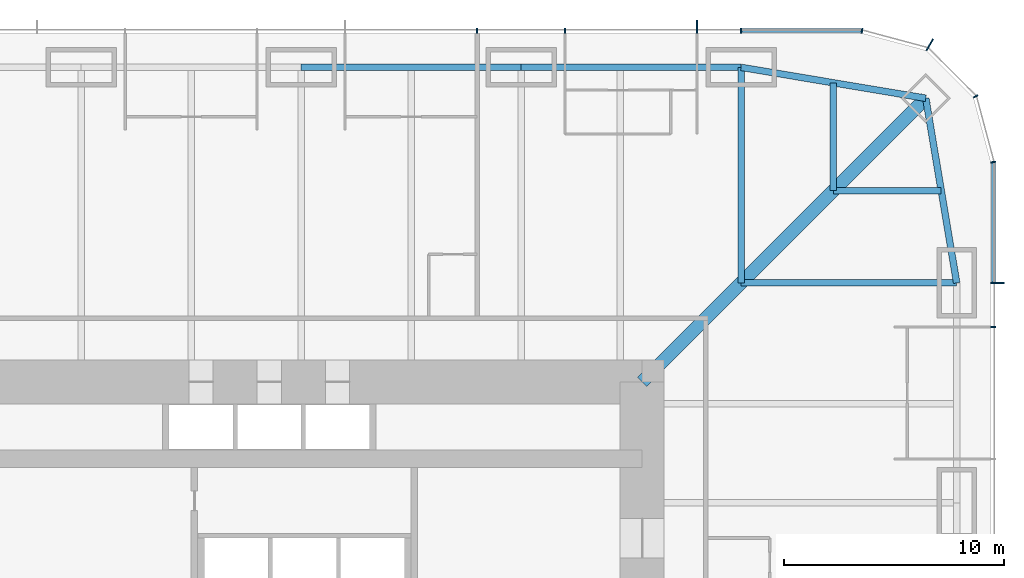
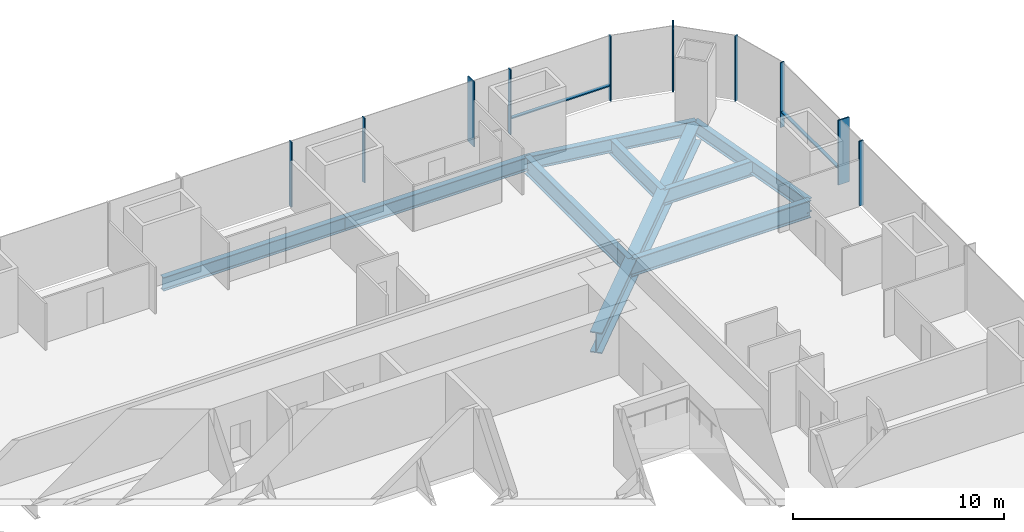
# One storey, part 9 of 17: 12 members, 9 beams, 3 elements without a shape of their own.
"""IFC4 building model written with IfcOpenShell, lengths in metres."""

from ifc_helpers import new_model, si_unit, direction, frame, origin, origin_2d, place, context, subcontext, project, spatial, rectangle, i_section, extrude, material, material_profile, profile_set, type_object, element, aggregate, save


model = new_model("IFC4")

# Units and contexts
model_context = context("Model", 3, precision=1e-05, world=origin(), true_north=direction((0.0, 1.0)))
body_context = subcontext(model_context, "Body", "Model", "MODEL_VIEW")
ifc_project = project(units=[si_unit("LENGTHUNIT", "METRE"), si_unit("AREAUNIT", "SQUARE_METRE"), si_unit("VOLUMEUNIT", "CUBIC_METRE"), si_unit("PLANEANGLEUNIT", "RADIAN"), si_unit("MASSUNIT", "GRAM", prefix="KILO")], contexts=[model_context])

# Site, building, storey
site_placement = place(None, origin())
site = spatial("IfcSite", under=ifc_project, at=site_placement, CompositionType="ELEMENT")
building_placement = place(site_placement, origin())
building = spatial("IfcBuilding", under=site, at=building_placement, Name="Khuree Lantern Residences", CompositionType="ELEMENT")
storey_placement = place(building_placement, frame((0.0, 0.0, 58.5)))
storey = spatial("IfcBuildingStorey", under=building, at=storey_placement, Name="L14", CompositionType="ELEMENT", Elevation=58.5)

# Beams
ifc_material_1 = material(Name="Steel S355", Category="steel")
ifc_material_profile_1 = material_profile(ifc_material_1, i_section(OverallWidth=0.300048828125, OverallDepth=0.889892578125, WebThickness=0.01611328125, FlangeThickness=0.030029296875, FilletRadius=0.030029296875, at=origin_2d()), Name="HE 900 A")
ifc_profile_set_1 = profile_set([ifc_material_profile_1], Name="Steel S355")
beam_type_1 = type_object("IfcBeamType", Name="B-13 SECONDARY BEAM HE 900 A", PredefinedType="BEAM", material=ifc_profile_set_1)
for number, where, z_axis, x_axis, name in (
    (1, (24.197021484375, 29.09716796875, -0.695068359375), (0.0, -1.0, 0.0), (1.0, 0.0, 0.0), "Secondary beam N5"),
    (2, (29.09716796875, 24.197021484375, -0.695068359375), (-1.0, 0.0, 0.0), (0.0, -1.0, 0.0), "Secondary beam E1"),
):
    element("IfcBeam", number, at=place(storey_placement, frame(where, z_axis=z_axis, x_axis=x_axis)), inside=storey, type_object=beam_type_1, Name=name, PredefinedType="BEAM", context=body_context, shape_type="SweptSolid", body=[
        extrude(i_section(OverallWidth=0.300048828125, OverallDepth=0.889892578125, WebThickness=0.01611328125, FlangeThickness=0.030029296875, FilletRadius=0.030029296875, at=origin_2d()), origin(), (0.0, 0.0, 1.0), 4.900146484375),
    ])
ifc_material_profile_2 = material_profile(ifc_material_1, i_section(OverallWidth=0.300048828125, OverallDepth=0.7900390625, WebThickness=0.014892578125, FlangeThickness=0.028076171875, FilletRadius=0.030029296875, at=origin_2d()), Name="HE 800 A")
ifc_profile_set_2 = profile_set([ifc_material_profile_2], Name="Steel S355")
beam_type_2 = type_object("IfcBeamType", Name="E-13 SPANDREL BEAM HE 800 A", PredefinedType="SPANDREL", material=ifc_profile_set_2)
for number, where, z_axis, x_axis, name in (
    (3, (0.0, 29.800048828125, -0.64501953125), (1.0, 0.0, 0.0), (0.0, 1.0, 0.0), "Spandrel beam N3"),
    (4, (10.0, 29.800048828125, -0.64501953125), (1.0, 0.0, 0.0), (0.0, 1.0, 0.0), "Spandrel beam N4"),
):
    element("IfcBeam", number, at=place(storey_placement, frame(where, z_axis=z_axis, x_axis=x_axis)), inside=storey, type_object=beam_type_2, Name=name, PredefinedType="SPANDREL", context=body_context, shape_type="SweptSolid", body=[
        extrude(i_section(OverallWidth=0.300048828125, OverallDepth=0.7900390625, WebThickness=0.014892578125, FlangeThickness=0.028076171875, FilletRadius=0.030029296875, at=origin_2d()), origin(), (0.0, 0.0, 1.0), 10.0),
    ])
for number, where, z_axis, x_axis, name in (
    (5, (20.0, 29.800048828125, -0.64501953125), (0.986260251158, -0.165199022349, 0.0), (0.165199022349, 0.986260251158, 0.0), "Spandrel beam N5"),
    (6, (28.39404296875, 28.39404296875, -0.64501953125), (0.165199022349, -0.986260251158, 0.0), (0.986260251158, 0.165199022349, 0.0), "Spandrel beam E1"),
):
    element("IfcBeam", number, at=place(storey_placement, frame(where, z_axis=z_axis, x_axis=x_axis)), inside=storey, type_object=beam_type_2, Name=name, PredefinedType="SPANDREL", context=body_context, shape_type="SweptSolid", body=[
        extrude(i_section(OverallWidth=0.300048828125, OverallDepth=0.7900390625, WebThickness=0.014892578125, FlangeThickness=0.028076171875, FilletRadius=0.030029296875, at=origin_2d()), origin(), (0.0, 0.0, 1.0), 8.510986328125),
    ])

# Curtain wall, member
ifc_material_2 = material(Name="Bronze anodised aluminium", Category="aluminium")
curtain_wall_type_1 = type_object("IfcCurtainWallType", Name="CW-T1 TOWER FACE CURTAIN WALL", PredefinedType="USERDEFINED", material=ifc_material_2)
curtain_wall_1_placement = place(storey_placement, origin())
curtain_wall_1 = element("IfcCurtainWall", 7, at=curtain_wall_1_placement, inside=storey, type_object=curtain_wall_type_1, Name="L14 EAST FACE CURTAIN WALL", ObjectType="Stick-built curtain wall", PredefinedType="USERDEFINED")
ifc_material_profile_3 = material_profile(ifc_material_2, rectangle(XDim=0.06494140625, YDim=0.60009765625, at=origin_2d()), Name="F1 65X600")
ifc_profile_set_3 = profile_set([ifc_material_profile_3], Name="Bronze anodised aluminium")
member_type_1 = type_object("IfcMemberType", Name="F1 BRONZE FIN MULLION TOWER 65X600", PredefinedType="MULLION", material=ifc_profile_set_3)
member_1_placement = place(storey_placement, frame((31.64990234375, 20.0, 0.0), z_axis=(0.0, 0.0, 1.0), x_axis=(0.0, 1.0, 0.0)))
member_1 = element("IfcMember", 8, at=member_1_placement, type_object=member_type_1, Name="L14 EAST FACE FIN MULLION 14", PredefinedType="MULLION", context=body_context, shape_type="SweptSolid", body=[
    extrude(rectangle(XDim=0.06494140625, YDim=0.60009765625, at=origin_2d()), origin(), (0.0, 0.0, 1.0), 3.75),
])

curtain_wall_type_2 = type_object("IfcCurtainWallType", Name="CW-T2 TOWER CORNER CURTAIN WALL", PredefinedType="USERDEFINED", material=ifc_material_2)
curtain_wall_2_placement = place(storey_placement, origin())
curtain_wall_2 = element("IfcCurtainWall", 9, at=curtain_wall_2_placement, inside=storey, type_object=curtain_wall_type_2, Name="L14 NORTH-EAST CORNER CURTAIN WALL", ObjectType="Faceted corner curtain wall", PredefinedType="USERDEFINED")
member_2_placement = place(storey_placement, frame((28.574951171875, 30.826171875, 0.0), z_axis=(0.0, 0.0, 1.0), x_axis=(-0.86602537092, 0.500000056923, 0.0)))
member_2 = element("IfcMember", 10, at=member_2_placement, type_object=member_type_1, Name="L14 NORTH-EAST CORNER FIN MULLION 17", PredefinedType="MULLION", context=body_context, shape_type="SweptSolid", body=[
    extrude(rectangle(XDim=0.06494140625, YDim=0.60009765625, at=origin_2d()), origin(), (0.0, 0.0, 1.0), 3.75),
])

curtain_wall_3_placement = place(storey_placement, origin())
curtain_wall_3 = element("IfcCurtainWall", 11, at=curtain_wall_3_placement, inside=storey, type_object=curtain_wall_type_1, Name="L14 NORTH FACE CURTAIN WALL", ObjectType="Stick-built curtain wall", PredefinedType="USERDEFINED")
member_3_placement = place(storey_placement, frame((18.0, 31.64990234375, 0.0), z_axis=(0.0, 0.0, 1.0), x_axis=(-1.0, 0.0, 0.0)))
member_3 = element("IfcMember", 12, at=member_3_placement, type_object=member_type_1, Name="L14 NORTH FACE FIN MULLION 20", PredefinedType="MULLION", context=body_context, shape_type="SweptSolid", body=[
    extrude(rectangle(XDim=0.06494140625, YDim=0.60009765625, at=origin_2d()), origin(), (0.0, 0.0, 1.0), 3.75),
])

# Beams
ifc_material_profile_4 = material_profile(ifc_material_1, i_section(OverallWidth=0.302001953125, OverallDepth=1.008056640625, WebThickness=0.02099609375, FlangeThickness=0.0400390625, FilletRadius=0.030029296875, at=origin_2d()), Name="HE 1000 M")
ifc_profile_set_4 = profile_set([ifc_material_profile_4], Name="Steel S355")
beam_type_3 = type_object("IfcBeamType", Name="G-13 GIRDER HE 1000 M", PredefinedType="BEAM", material=ifc_profile_set_4)
for number, where, z_axis, x_axis, name in (
    (13, (20.0, 29.800048828125, -0.75390625), (0.0, -1.0, 0.0), (1.0, 0.0, 0.0), "Girder N5"),
    (14, (29.800048828125, 20.0, -0.75390625), (-1.0, 0.0, 0.0), (0.0, -1.0, 0.0), "Girder E1"),
):
    element("IfcBeam", number, at=place(storey_placement, frame(where, z_axis=z_axis, x_axis=x_axis)), inside=storey, type_object=beam_type_3, Name=name, PredefinedType="BEAM", context=body_context, shape_type="SweptSolid", body=[
        extrude(i_section(OverallWidth=0.302001953125, OverallDepth=1.008056640625, WebThickness=0.02099609375, FlangeThickness=0.0400390625, FilletRadius=0.030029296875, at=origin_2d()), origin(), (0.0, 0.0, 1.0), 9.800048828125),
    ])
ifc_material_profile_5 = material_profile(ifc_material_1, i_section(OverallWidth=0.60009765625, OverallDepth=1.199951171875, WebThickness=0.030029296875, FlangeThickness=0.06005859375, at=origin_2d()), Name="WELDED I 1200X600X30X60")
ifc_profile_set_5 = profile_set([ifc_material_profile_5], Name="Steel S355")
beam_type_4 = type_object("IfcBeamType", Name="GD-13 CORNER GIRDER WELDED I 1200X600X30X60", PredefinedType="BEAM", material=ifc_profile_set_5)
beam_placement = place(storey_placement, frame((28.39404296875, 28.39404296875, -0.85009765625), z_axis=(-0.707106781187, -0.707106781187, 0.0), x_axis=(0.707106781187, -0.707106781187, 0.0)))
element("IfcBeam", 15, at=beam_placement, inside=storey, type_object=beam_type_4, Name="Corner girder NE", PredefinedType="BEAM", context=body_context, shape_type="SweptSolid", body=[
    extrude(i_section(OverallWidth=0.60009765625, OverallDepth=1.199951171875, WebThickness=0.030029296875, FlangeThickness=0.06005859375, at=origin_2d()), origin(), (0.0, 0.0, 1.0), 18.23486328125),
])

# Member
ifc_material_profile_6 = material_profile(ifc_material_2, rectangle(XDim=0.06494140625, YDim=0.219970703125, at=origin_2d()), Name="M1 65X220")
ifc_profile_set_6 = profile_set([ifc_material_profile_6], Name="Bronze anodised aluminium")
member_type_2 = type_object("IfcMemberType", Name="M1 BRONZE MULLION TOWER 65X220", PredefinedType="MULLION", material=ifc_profile_set_6)
member_4_placement = place(storey_placement, frame((31.4599609375, 18.0, 0.0), z_axis=(0.0, 0.0, 1.0), x_axis=(0.0, 1.0, 0.0)))
member_4 = element("IfcMember", 16, at=member_4_placement, type_object=member_type_2, Name="L14 EAST FACE MULLION 13", PredefinedType="MULLION", context=body_context, shape_type="SweptSolid", body=[
    extrude(rectangle(XDim=0.06494140625, YDim=0.219970703125, at=origin_2d()), origin(), (0.0, 0.0, 1.0), 3.75),
])

member_5_placement = place(storey_placement, frame((31.461669921875, 25.494873046875, 0.0), z_axis=(0.0, 0.0, 1.0), x_axis=(-0.130526257387, 0.991444852794, 0.0)))
member_5 = element("IfcMember", 17, at=member_5_placement, type_object=member_type_2, Name="L14 NORTH-EAST CORNER MULLION 15", PredefinedType="MULLION", context=body_context, shape_type="SweptSolid", body=[
    extrude(rectangle(XDim=0.06494140625, YDim=0.219970703125, at=origin_2d()), origin(), (0.0, 0.0, 1.0), 3.75),
])

member_6_placement = place(storey_placement, frame((30.66162109375, 28.47998046875, 0.0), z_axis=(0.0, 0.0, 1.0), x_axis=(-0.500000056923, 0.86602537092, 0.0)))
member_6 = element("IfcMember", 18, at=member_6_placement, type_object=member_type_2, Name="L14 NORTH-EAST CORNER MULLION 16", PredefinedType="MULLION", context=body_context, shape_type="SweptSolid", body=[
    extrude(rectangle(XDim=0.06494140625, YDim=0.219970703125, at=origin_2d()), origin(), (0.0, 0.0, 1.0), 3.75),
])

aggregate(curtain_wall_2, [member_5, member_6, member_2])

member_7_placement = place(storey_placement, frame((25.494873046875, 31.461669921875, 0.0), z_axis=(0.0, 0.0, 1.0), x_axis=(-0.991444852794, 0.130526257387, 0.0)))
member_7 = element("IfcMember", 19, at=member_7_placement, type_object=member_type_2, Name="L14 NORTH FACE MULLION 18", PredefinedType="MULLION", context=body_context, shape_type="SweptSolid", body=[
    extrude(rectangle(XDim=0.06494140625, YDim=0.219970703125, at=origin_2d()), origin(), (0.0, 0.0, 1.0), 3.75),
])

member_8_placement = place(storey_placement, frame((20.0, 31.4599609375, 0.0), z_axis=(0.0, 0.0, 1.0), x_axis=(-1.0, 0.0, 0.0)))
member_8 = element("IfcMember", 20, at=member_8_placement, type_object=member_type_2, Name="L14 NORTH FACE MULLION 19", PredefinedType="MULLION", context=body_context, shape_type="SweptSolid", body=[
    extrude(rectangle(XDim=0.06494140625, YDim=0.219970703125, at=origin_2d()), origin(), (0.0, 0.0, 1.0), 3.75),
])

member_9_placement = place(storey_placement, frame((12.0, 31.4599609375, 0.0), z_axis=(0.0, 0.0, 1.0), x_axis=(-1.0, 0.0, 0.0)))
member_9 = element("IfcMember", 21, at=member_9_placement, type_object=member_type_2, Name="L14 NORTH FACE MULLION 21", PredefinedType="MULLION", context=body_context, shape_type="SweptSolid", body=[
    extrude(rectangle(XDim=0.06494140625, YDim=0.219970703125, at=origin_2d()), origin(), (0.0, 0.0, 1.0), 3.75),
])

member_10_placement = place(storey_placement, frame((8.0, 31.4599609375, 0.0), z_axis=(0.0, 0.0, 1.0), x_axis=(-1.0, 0.0, 0.0)))
member_10 = element("IfcMember", 22, at=member_10_placement, type_object=member_type_2, Name="L14 NORTH FACE MULLION 22", PredefinedType="MULLION", context=body_context, shape_type="SweptSolid", body=[
    extrude(rectangle(XDim=0.06494140625, YDim=0.219970703125, at=origin_2d()), origin(), (0.0, 0.0, 1.0), 3.75),
])

ifc_material_profile_7 = material_profile(ifc_material_2, rectangle(XDim=0.179931640625, YDim=0.06494140625, at=origin_2d()), Name="T1 180X65")
ifc_profile_set_7 = profile_set([ifc_material_profile_7], Name="Bronze anodised aluminium")
member_type_3 = type_object("IfcMemberType", Name="TRANSOM T1 TOWER 180X65", PredefinedType="USERDEFINED", material=ifc_profile_set_7)
member_11_placement = place(storey_placement, frame((31.469970703125, 20.032470703125, 0.89990234375), z_axis=(0.0, 1.0, 0.0), x_axis=(-1.0, 0.0, 0.0)))
member_11 = element("IfcMember", 23, at=member_11_placement, type_object=member_type_3, Name="L14 EAST FACE TRANSOM 14.1", ObjectType="Transom", PredefinedType="USERDEFINED", context=body_context, shape_type="SweptSolid", body=[
    extrude(rectangle(XDim=0.179931640625, YDim=0.06494140625, at=origin_2d()), origin(), (0.0, 0.0, 1.0), 5.4189453125),
])

aggregate(curtain_wall_1, [member_4, member_1, member_11])

member_12_placement = place(storey_placement, frame((25.451416015625, 31.469970703125, 0.89990234375), z_axis=(-1.0, 0.0, 0.0), x_axis=(0.0, -1.0, 0.0)))
member_12 = element("IfcMember", 24, at=member_12_placement, type_object=member_type_3, Name="L14 NORTH FACE TRANSOM 18.1", ObjectType="Transom", PredefinedType="USERDEFINED", context=body_context, shape_type="SweptSolid", body=[
    extrude(rectangle(XDim=0.179931640625, YDim=0.06494140625, at=origin_2d()), origin(), (0.0, 0.0, 1.0), 5.4189453125),
])

aggregate(curtain_wall_3, [member_7, member_8, member_3, member_9, member_10, member_12])

save(model, "model.ifc")
